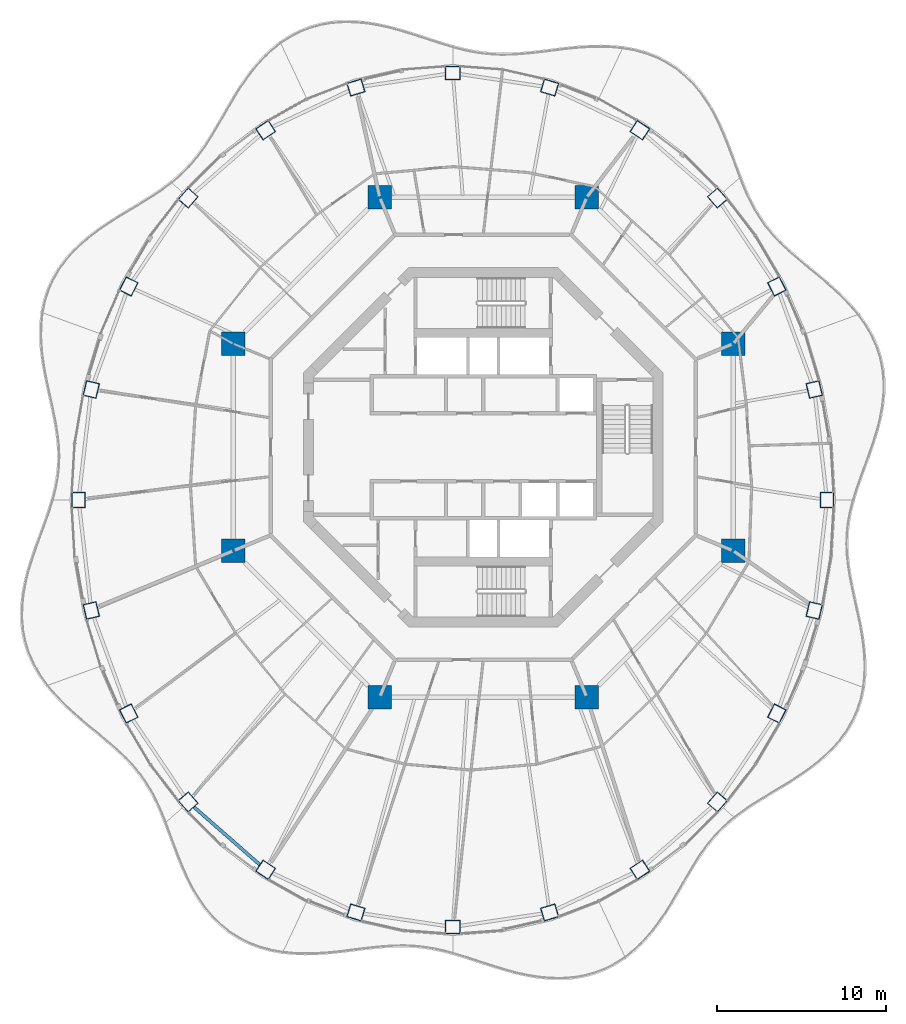
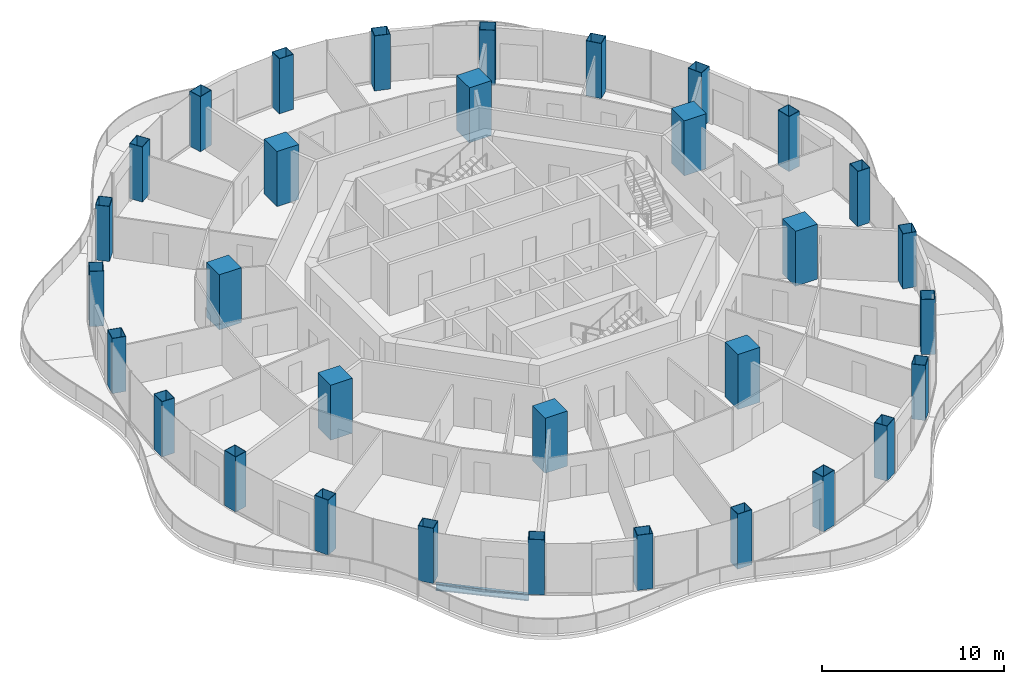
# One storey, part 1 of 18: 32 columns, 1 beam.
"""IFC4 building model written with IfcOpenShell, lengths in metres."""

from ifc_helpers import new_model, si_unit, direction, frame, origin, origin_2d, place, context, subcontext, project, spatial, rectangle, hollow_rectangle, i_section, extrude, material, material_profile, profile_set, type_object, element, save


model = new_model("IFC4")

# Units and contexts
model_context = context("Model", 3, precision=1e-05, world=origin(), true_north=direction((0.0, 1.0)))
body_context = subcontext(model_context, "Body", "Model", "MODEL_VIEW")
ifc_project = project(units=[si_unit("LENGTHUNIT", "METRE"), si_unit("AREAUNIT", "SQUARE_METRE"), si_unit("VOLUMEUNIT", "CUBIC_METRE"), si_unit("PLANEANGLEUNIT", "RADIAN"), si_unit("MASSUNIT", "GRAM", prefix="KILO")], contexts=[model_context])

# Site, building, storey
site_placement = place(None, origin())
site = spatial("IfcSite", under=ifc_project, at=site_placement, CompositionType="ELEMENT")
building_placement = place(site_placement, origin())
building = spatial("IfcBuilding", under=site, at=building_placement, Name="Nagisa Residences", CompositionType="ELEMENT")
storey_placement = place(building_placement, frame((0.0, 0.0, 284.39990234375)))
storey = spatial("IfcBuildingStorey", under=building, at=storey_placement, Name="L72", CompositionType="ELEMENT", Elevation=284.39990234375)

# Columns
ifc_material_1 = material(Name="Concrete C80", Category="concrete")
ifc_material_profile_1 = material_profile(ifc_material_1, rectangle(XDim=1.39990234375, YDim=1.39990234375, at=origin_2d()), Name="C80 1400x1400")
ifc_profile_set_1 = profile_set([ifc_material_profile_1], Name="Concrete C80")
column_type_1 = type_object("IfcColumnType", Name="Inner megacolumn C80 1400x1400", PredefinedType="COLUMN", material=ifc_profile_set_1)
for number, where, z_axis, x_axis, name in (
    (1, (14.781982421875, 6.123046875, 0.0), (0.0, 0.0, 1.0), (1.0, 0.0, 0.0), "col:L72:i1"),
    (2, (6.123046875, 14.781982421875, 0.0), (0.0, 0.0, 1.0), (1.0, 0.0, 0.0), "col:L72:i2"),
    (3, (-6.123046875, 14.781982421875, 0.0), (0.0, 0.0, 1.0), (1.0, 0.0, 0.0), "col:L72:i3"),
    (4, (-14.781982421875, 6.123046875, 0.0), (0.0, 0.0, 1.0), (1.0, 0.0, 0.0), "col:L72:i4"),
    (5, (-14.781982421875, -6.123046875, 0.0), (0.0, 0.0, 1.0), (1.0, 0.0, 0.0), "col:L72:i5"),
    (6, (-6.123046875, -14.781982421875, 0.0), (0.0, 0.0, 1.0), (1.0, 0.0, 0.0), "col:L72:i6"),
    (7, (6.123046875, -14.781982421875, 0.0), (0.0, 0.0, 1.0), (1.0, 0.0, 0.0), "col:L72:i7"),
    (8, (14.781982421875, -6.123046875, 0.0), (0.0, 0.0, 1.0), (1.0, 0.0, 0.0), "col:L72:i8"),
):
    element("IfcColumn", number, at=place(storey_placement, frame(where, z_axis=z_axis, x_axis=x_axis)), inside=storey, type_object=column_type_1, Name=name, PredefinedType="COLUMN", context=body_context, shape_type="SweptSolid", body=[
        extrude(rectangle(XDim=1.39990234375, YDim=1.39990234375, at=origin_2d()), origin(), (0.0, 0.0, 1.0), 3.7001953125),
    ])
ifc_material_2 = material(Name="Steel ASTM A572 Gr 50", Category="steel")
ifc_material_profile_2 = material_profile(ifc_material_2, hollow_rectangle(XDim=0.89990234375, YDim=0.800048828125, WallThickness=0.028076171875, at=origin_2d()), Name="BX 900x800x28")
ifc_profile_set_2 = profile_set([ifc_material_profile_2], Name="Steel ASTM A572 Gr 50")
column_type_2 = type_object("IfcColumnType", Name="Perimeter column BX 900x800x28", PredefinedType="COLUMN", material=ifc_profile_set_2)
for number, where, z_axis, x_axis, name in (
    (9, (20.320068359375, -3.11767578125, 0.0), (0.0, 0.0, 1.0), (0.0, 1.0, 0.0), "col:L72:p00"),
    (10, (19.566162109375, 3.414794921875, 0.0), (0.0, 0.0, 1.0), (-0.229202013103, 0.973378876486, 0.0), "col:L72:p01"),
    (11, (17.3564453125, 9.502197265625, 0.0), (0.0, 0.0, 1.0), (-0.452462697578, 0.891783329795, 0.0), "col:L72:p02"),
    (12, (13.84130859375, 14.729736328125, 0.0), (0.0, 0.0, 1.0), (-0.660114607735, 0.751164898445, 0.0), "col:L72:p03"),
    (13, (9.260009765625, 18.74072265625, 0.0), (0.0, 0.0, 1.0), (-0.835766105673, 0.54908561865, 0.0), "col:L72:p04"),
    (14, (3.925048828125, 21.26220703125, 0.0), (0.0, 0.0, 1.0), (-0.956524583408, 0.291651712384, 0.0), "col:L72:p05"),
    (15, (-1.800048828125, 22.122314453125, 0.0), (0.0, 0.0, 1.0), (-1.0, 0.0, 0.0), "col:L72:p06"),
    (16, (-7.525146484375, 21.26220703125, 0.0), (0.0, 0.0, 1.0), (-0.956524583408, -0.291651712384, 0.0), "col:L72:p07"),
    (17, (-12.860107421875, 18.74072265625, 0.0), (0.0, 0.0, 1.0), (-0.835766105673, -0.54908561865, 0.0), "col:L72:p08"),
    (18, (-17.441162109375, 14.729736328125, 0.0), (0.0, 0.0, 1.0), (-0.660114607735, -0.751164898445, 0.0), "col:L72:p09"),
    (19, (-20.95654296875, 9.502197265625, 0.0), (0.0, 0.0, 1.0), (-0.452462697578, -0.891783329795, 0.0), "col:L72:p10"),
    (20, (-23.166259765625, 3.414794921875, 0.0), (0.0, 0.0, 1.0), (-0.229202013103, -0.973378876486, 0.0), "col:L72:p11"),
    (21, (-23.919921875, -3.11767578125, 0.0), (0.0, 0.0, 1.0), (0.0, -1.0, 0.0), "col:L72:p12"),
    (22, (-23.166259765625, -9.650390625, 0.0), (0.0, 0.0, 1.0), (0.229202013103, -0.973378876486, 0.0), "col:L72:p13"),
    (23, (-20.95654296875, -15.73779296875, 0.0), (0.0, 0.0, 1.0), (0.452462697578, -0.891783329795, 0.0), "col:L72:p14"),
    (24, (-17.441162109375, -20.965087890625, 0.0), (0.0, 0.0, 1.0), (0.660114607735, -0.751164898445, 0.0), "col:L72:p15"),
    (25, (-12.860107421875, -24.97607421875, 0.0), (0.0, 0.0, 1.0), (0.835766105673, -0.54908561865, 0.0), "col:L72:p16"),
    (26, (-7.525146484375, -27.49755859375, 0.0), (0.0, 0.0, 1.0), (0.956524583408, -0.291651712384, 0.0), "col:L72:p17"),
    (27, (-1.800048828125, -28.357666015625, 0.0), (0.0, 0.0, 1.0), (1.0, 0.0, 0.0), "col:L72:p18"),
    (28, (3.925048828125, -27.49755859375, 0.0), (0.0, 0.0, 1.0), (0.956524583408, 0.291651712384, 0.0), "col:L72:p19"),
    (29, (9.260009765625, -24.97607421875, 0.0), (0.0, 0.0, 1.0), (0.835766105673, 0.54908561865, 0.0), "col:L72:p20"),
    (30, (13.84130859375, -20.965087890625, 0.0), (0.0, 0.0, 1.0), (0.660114607735, 0.751164898445, 0.0), "col:L72:p21"),
    (31, (17.3564453125, -15.73779296875, 0.0), (0.0, 0.0, 1.0), (0.452462697578, 0.891783329795, 0.0), "col:L72:p22"),
    (32, (19.566162109375, -9.650390625, 0.0), (0.0, 0.0, 1.0), (0.229202013103, 0.973378876486, 0.0), "col:L72:p23"),
):
    element("IfcColumn", number, at=place(storey_placement, frame(where, z_axis=z_axis, x_axis=x_axis)), inside=storey, type_object=column_type_2, Name=name, PredefinedType="COLUMN", context=body_context, shape_type="SweptSolid", body=[
        extrude(hollow_rectangle(XDim=0.89990234375, YDim=0.800048828125, WallThickness=0.028076171875, at=origin_2d()), origin(), (0.0, 0.0, 1.0), 3.7001953125),
    ])

# Beam
ifc_material_3 = material(Name="Steel ASTM A572 Gr 50", Category="steel")
ifc_material_profile_3 = material_profile(ifc_material_3, i_section(OverallWidth=0.18994140625, OverallDepth=0.45703125, WebThickness=0.009033203125, FlangeThickness=0.014404296875, at=origin_2d()), Name="W460x74")
ifc_profile_set_3 = profile_set([ifc_material_profile_3], Name="Steel ASTM A572 Gr 50")
beam_type = type_object("IfcBeamType", Name="Perimeter ring beam W460x74", PredefinedType="BEAM", material=ifc_profile_set_3)
beam_placement = place(storey_placement, frame((-17.11474609375, -21.2509765625, -0.48828125), z_axis=(0.752365189148, -0.658746250204, 0.0), x_axis=(0.658746250204, 0.752365189148, 0.0)))
element("IfcBeam", 33, at=beam_placement, inside=storey, type_object=beam_type, Name="beam:L72:pb16", PredefinedType="BEAM", context=body_context, shape_type="SweptSolid", body=[
    extrude(i_section(OverallWidth=0.18994140625, OverallDepth=0.45703125, WebThickness=0.009033203125, FlangeThickness=0.014404296875, at=origin_2d()), origin(), (0.0, 0.0, 1.0), 5.220947265625),
])

save(model, "model.ifc")
